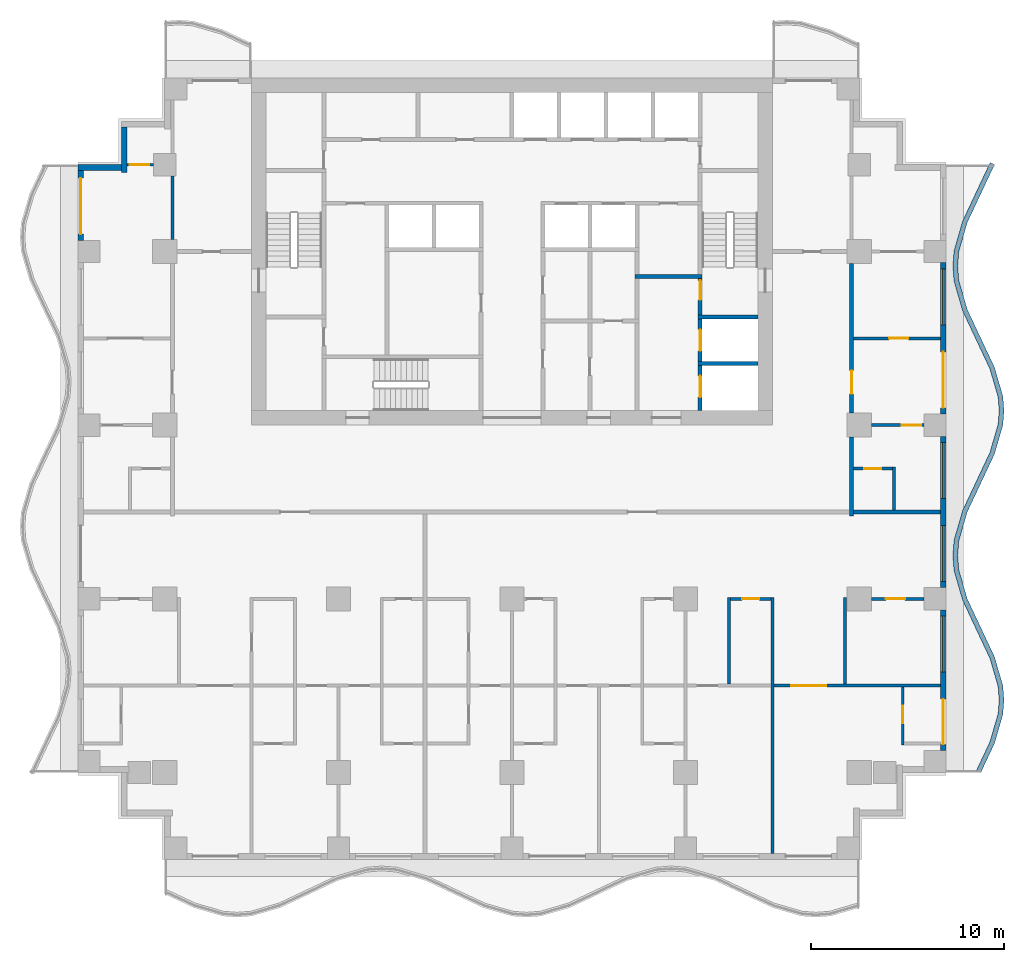
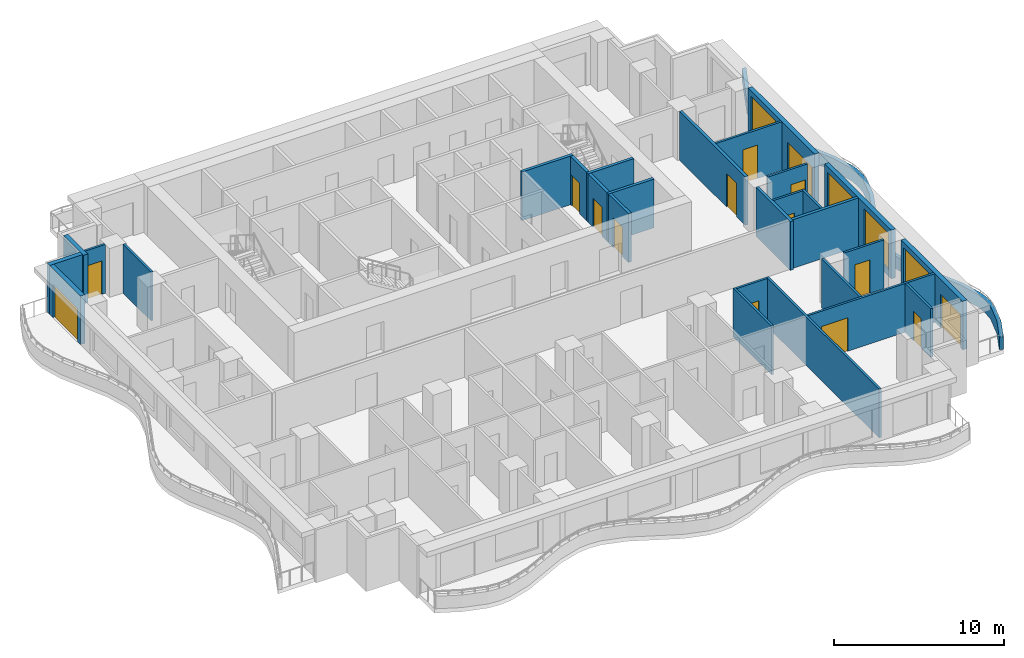
# One storey, part 4 of 10: 29 walls, 15 doors, 4 windows, 19 openings.
"""IFC4 building model written with IfcOpenShell, lengths in metres."""

from ifc_helpers import new_model, si_unit, direction, frame, frame_2d, origin, place, context, subcontext, project, spatial, polyline, rectangle, outline, extrude, material, layer, layer_set, type_object, element, fill, save


model = new_model("IFC4")

# Units and contexts
model_context = context("Model", 3, precision=1e-05, world=origin(), true_north=direction((0.0, 1.0)))
body_context = subcontext(model_context, "Body", "Model", "MODEL_VIEW")
ifc_project = project(units=[si_unit("LENGTHUNIT", "METRE"), si_unit("AREAUNIT", "SQUARE_METRE"), si_unit("VOLUMEUNIT", "CUBIC_METRE"), si_unit("PLANEANGLEUNIT", "RADIAN"), si_unit("MASSUNIT", "GRAM", prefix="KILO")], contexts=[model_context])

# Site, building, storey
site_placement = place(None, origin())
site = spatial("IfcSite", under=ifc_project, at=site_placement, CompositionType="ELEMENT")
building_placement = place(site_placement, origin())
building = spatial("IfcBuilding", under=site, at=building_placement, Name="Orbiselva Terraces", CompositionType="ELEMENT")
storey_placement = place(building_placement, frame((0.0, 0.0, 144.0)))
storey = spatial("IfcBuildingStorey", under=building, at=storey_placement, Name="L36", CompositionType="ELEMENT", Elevation=144.0)

# Wall
ifc_material_1 = material(Name="Concrete C60/75", Category="concrete")
ifc_layer_1 = layer(ifc_material_1, 0.2)
ifc_layer_set_1 = layer_set([ifc_layer_1], Name="Concrete C60/75")
wall_type_1 = type_object("IfcWallType", Name="CORE-WALL-SHEAR-200", PredefinedType="SHEAR", material=ifc_layer_set_1)
wall_1_placement = place(storey_placement, frame((6.375, 12.2, 0.0), z_axis=(0.0, 0.0, 1.0), x_axis=(1.0, 0.0, 0.0)))
element("IfcWall", 1, at=wall_1_placement, inside=storey, type_object=wall_type_1, Name="L36 core wall 34", PredefinedType="SHEAR", context=body_context, shape_type="SweptSolid", body=[
    extrude(rectangle(XDim=3.475, YDim=0.2, at=frame_2d((1.7375, 0.0))), origin(), (0.0, 0.0, 1.0), 3.5),
])

# Wall, opening, door
wall_2_placement = place(storey_placement, frame((9.75, 5.25, 0.0), z_axis=(0.0, 0.0, 1.0), x_axis=(0.0, 1.0, 0.0)))
wall_2 = element("IfcWall", 2, at=wall_2_placement, inside=storey, type_object=wall_type_1, Name="L36 core wall 38", PredefinedType="SHEAR", context=body_context, shape_type="SweptSolid", body=[
    extrude(rectangle(XDim=2.35, YDim=0.2, at=frame_2d((1.175, 0.0))), origin(), (0.0, 0.0, 1.0), 3.5),
])
opening_1_placement = place(wall_2_placement, frame((0.7, 0.0, 0.0)))
opening_1 = element("IfcOpeningElement", 3, at=opening_1_placement, cuts=wall_2, Name="Opening LD-FF1", PredefinedType="OPENING", context=body_context, shape_type="SweptSolid", body=[
    extrude(rectangle(XDim=1.1, YDim=2.1, at=frame_2d((0.55, 1.05))), frame((0.0, 0.11, 0.0), z_axis=(0.0, -1.0, 0.0), x_axis=(1.0, 0.0, 0.0)), (0.0, 0.0, 1.0), 0.22),
])
ifc_material_2 = material(Name="Stainless steel landing door", Category="steel")
door_type_1 = type_object("IfcDoorType", Name="LANDING DOOR 1100", OperationType="SLIDING_TO_LEFT", PredefinedType="DOOR", material=ifc_material_2)
door_1_placement = place(opening_1_placement, origin())
door_1 = element("IfcDoor", 4, at=door_1_placement, inside=storey, type_object=door_type_1, Name="L36 landing door FF1", OperationType="SLIDING_TO_RIGHT", OverallHeight=2.1, OverallWidth=1.1, PredefinedType="DOOR", context=body_context, shape_type="SweptSolid", body=[
    extrude(rectangle(XDim=1.1, YDim=2.1, at=frame_2d((0.55, 1.05))), frame((0.0, 0.025, 0.0), z_axis=(0.0, -1.0, 0.0), x_axis=(1.0, 0.0, 0.0)), (0.0, 0.0, 1.0), 0.05),
])
fill(opening_1, door_1)

# Wall
wall_3_placement = place(storey_placement, frame((9.65, 7.7, 0.0), z_axis=(0.0, 0.0, 1.0), x_axis=(1.0, 0.0, 0.0)))
element("IfcWall", 5, at=wall_3_placement, inside=storey, type_object=wall_type_1, Name="L36 core wall 39", PredefinedType="SHEAR", context=body_context, shape_type="SweptSolid", body=[
    extrude(rectangle(XDim=3.1, YDim=0.2, at=frame_2d((1.55, 0.0))), origin(), (0.0, 0.0, 1.0), 3.5),
])

# Wall, opening, door
wall_4_placement = place(storey_placement, frame((9.75, 7.8, 0.0), z_axis=(0.0, 0.0, 1.0), x_axis=(0.0, 1.0, 0.0)))
wall_4 = element("IfcWall", 6, at=wall_4_placement, inside=storey, type_object=wall_type_1, Name="L36 core wall 40", PredefinedType="SHEAR", context=body_context, shape_type="SweptSolid", body=[
    extrude(rectangle(XDim=2.2, YDim=0.2, at=frame_2d((1.1, 0.0))), origin(), (0.0, 0.0, 1.0), 3.5),
])
opening_2_placement = place(wall_4_placement, frame((0.55, 0.0, 0.0)))
opening_2 = element("IfcOpeningElement", 7, at=opening_2_placement, cuts=wall_4, Name="Opening LD-FF2", PredefinedType="OPENING", context=body_context, shape_type="SweptSolid", body=[
    extrude(rectangle(XDim=1.1, YDim=2.1, at=frame_2d((0.55, 1.05))), frame((0.0, 0.11, 0.0), z_axis=(0.0, -1.0, 0.0), x_axis=(1.0, 0.0, 0.0)), (0.0, 0.0, 1.0), 0.22),
])
door_2_placement = place(opening_2_placement, origin())
door_2 = element("IfcDoor", 8, at=door_2_placement, inside=storey, type_object=door_type_1, Name="L36 landing door FF2", OperationType="SLIDING_TO_RIGHT", OverallHeight=2.1, OverallWidth=1.1, PredefinedType="DOOR", context=body_context, shape_type="SweptSolid", body=[
    extrude(rectangle(XDim=1.1, YDim=2.1, at=frame_2d((0.55, 1.05))), frame((0.0, 0.025, 0.0), z_axis=(0.0, -1.0, 0.0), x_axis=(1.0, 0.0, 0.0)), (0.0, 0.0, 1.0), 0.05),
])
fill(opening_2, door_2)

# Wall
wall_5_placement = place(storey_placement, frame((9.65, 10.1, 0.0), z_axis=(0.0, 0.0, 1.0), x_axis=(1.0, 0.0, 0.0)))
element("IfcWall", 9, at=wall_5_placement, inside=storey, type_object=wall_type_1, Name="L36 core wall 41", PredefinedType="SHEAR", context=body_context, shape_type="SweptSolid", body=[
    extrude(rectangle(XDim=3.1, YDim=0.2, at=frame_2d((1.55, 0.0))), origin(), (0.0, 0.0, 1.0), 3.5),
])

# Wall, opening, door
wall_6_placement = place(storey_placement, frame((9.75, 12.1, 0.0), z_axis=(0.0, 0.0, 1.0), x_axis=(0.0, -1.0, 0.0)))
wall_6 = element("IfcWall", 10, at=wall_6_placement, inside=storey, type_object=wall_type_1, Name="L36 core wall 42", PredefinedType="SHEAR", context=body_context, shape_type="SweptSolid", body=[
    extrude(rectangle(XDim=1.9, YDim=0.2, at=frame_2d((0.95, 0.0))), origin(), (0.0, 0.0, 1.0), 3.5),
])
opening_3_placement = place(wall_6_placement, frame((0.1, 0.0, 0.0)))
opening_3 = element("IfcOpeningElement", 11, at=opening_3_placement, cuts=wall_6, Name="Opening DS1000", PredefinedType="OPENING", context=body_context, shape_type="SweptSolid", body=[
    extrude(rectangle(XDim=1.0, YDim=2.2, at=frame_2d((0.5, 1.1))), frame((0.0, 0.11, 0.0), z_axis=(0.0, -1.0, 0.0), x_axis=(1.0, 0.0, 0.0)), (0.0, 0.0, 1.0), 0.22),
])
ifc_material_3 = material(Name="Steel fire door", Category="steel")
door_type_2 = type_object("IfcDoorType", Name="STAIR DOOR 1000", OperationType="NOTDEFINED", PredefinedType="DOOR", material=ifc_material_3)
door_3_placement = place(opening_3_placement, origin())
door_3 = element("IfcDoor", 12, at=door_3_placement, inside=storey, type_object=door_type_2, Name="L36 FIRE-FIGHTING LOBBY TO EXIT STAIR S2 door", OperationType="SINGLE_SWING_LEFT", OverallHeight=2.2, OverallWidth=1.0, PredefinedType="DOOR", context=body_context, shape_type="SweptSolid", body=[
    extrude(rectangle(XDim=1.0, YDim=2.2, at=frame_2d((0.5, 1.1))), frame((0.0, 0.025, 0.0), z_axis=(0.0, -1.0, 0.0), x_axis=(1.0, 0.0, 0.0)), (0.0, 0.0, 1.0), 0.05),
])
fill(opening_3, door_3)

# Wall
ifc_material_4 = material(Name="Concrete C40/50", Category="concrete")
ifc_layer_2 = layer(ifc_material_4, 0.25)
ifc_layer_set_2 = layer_set([ifc_layer_2], Name="Concrete C40/50")
wall_type_2 = type_object("IfcWallType", Name="ENV-PLANTER-250x900", PredefinedType="USERDEFINED", material=ifc_layer_set_2)
wall_7_placement = place(storey_placement, origin())
element("IfcWall", 13, at=wall_7_placement, inside=storey, type_object=wall_type_2, Name="Balcony planter L36 E", ObjectType="PLANTER", PredefinedType="USERDEFINED", context=body_context, shape_type="SweptSolid", body=[
    extrude(outline(polyline([(24.3, -13.5), (25.005342, -12.0), (25.441268, -10.5), (25.5, -9.75), (25.441268, -9.0), (25.005342, -7.5), (24.3, -6.0), (23.594658, -4.5), (23.158732, -3.0), (23.1, -2.25), (23.158732, -1.5), (23.594658, 0.0), (24.3, 1.5), (25.005342, 3.0), (25.441268, 4.5), (25.5, 5.25), (25.441268, 6.0), (25.005342, 7.5), (24.3, 9.0), (23.594658, 10.5), (23.158732, 12.0), (23.1, 12.75), (23.158732, 13.5), (23.594658, 15.0), (24.3, 16.5), (25.005342, 18.0), (24.779106, 18.106383), (24.073764, 16.606383), (23.360069, 15.088618), (22.911499, 13.545114), (22.849235, 12.75), (22.911499, 11.954886), (23.360069, 10.411382), (24.073764, 8.893617), (24.770753, 7.411382), (25.194035, 5.954886), (25.249235, 5.25), (25.194035, 4.545114), (24.770753, 3.088618), (24.073764, 1.606383), (23.360069, 0.088618), (22.911499, -1.454886), (22.849235, -2.25), (22.911499, -3.045114), (23.360069, -4.588618), (24.073764, -6.106383), (24.770753, -7.588618), (25.194035, -9.045114), (25.249235, -9.75), (25.194035, -10.454886), (24.770753, -11.911382), (24.073764, -13.393617), (24.3, -13.5)])), origin(), (0.0, 0.0, 1.0), 0.9),
])

# Wall, openings, door, window
ifc_material_5 = material(Name="Terracotta cladding on masonry backing", Category="masonry")
ifc_layer_3 = layer(ifc_material_5, 0.3)
ifc_layer_set_3 = layer_set([ifc_layer_3], Name="Terracotta cladding on masonry backing")
wall_type_3 = type_object("IfcWallType", Name="ENV-WALL-TERRACOTTA-300", PredefinedType="SOLIDWALL", material=ifc_layer_set_3)
wall_8_placement = place(storey_placement, frame((22.35, -5.075, 0.0), z_axis=(0.0, 0.0, 1.0), x_axis=(0.0, -1.0, 0.0)))
wall_8 = element("IfcWall", 14, at=wall_8_placement, inside=storey, type_object=wall_type_3, Name="Facade wall L36 E", PredefinedType="SOLIDWALL", context=body_context, shape_type="SweptSolid", body=[
    extrude(rectangle(XDim=7.275, YDim=0.3, at=frame_2d((3.6375, 0.0))), origin(), (0.0, 0.0, 1.0), 3.5),
])
opening_4_placement = place(wall_8_placement, frame((4.625, 0.0, 0.0)))
opening_4 = element("IfcOpeningElement", 15, at=opening_4_placement, cuts=wall_8, Name="Opening Z3-B-E16", PredefinedType="OPENING", context=body_context, shape_type="SweptSolid", body=[
    extrude(rectangle(XDim=2.35, YDim=2.4, at=frame_2d((1.175, 1.2))), frame((0.0, 0.16, 0.0), z_axis=(0.0, -1.0, 0.0), x_axis=(1.0, 0.0, 0.0)), (0.0, 0.0, 1.0), 0.32),
])
opening_5_placement = place(wall_8_placement, frame((0.325, 0.0, 0.45)))
opening_5 = element("IfcOpeningElement", 16, at=opening_5_placement, cuts=wall_8, Name="Opening WN8", PredefinedType="OPENING", context=body_context, shape_type="SweptSolid", body=[
    extrude(rectangle(XDim=2.9, YDim=2.65, at=frame_2d((1.45, 1.325))), frame((0.0, 0.16, 0.0), z_axis=(0.0, -1.0, 0.0), x_axis=(1.0, 0.0, 0.0)), (0.0, 0.0, 1.0), 0.32),
])
ifc_material_6 = material(Name="Clear low-e glazing in aluminium frame", Category="aluminium")
door_type_3 = type_object("IfcDoorType", Name="BALCONY DOOR 2350 X 2400", OperationType="DOUBLE_DOOR_SLIDING", PredefinedType="DOOR", material=ifc_material_6)
door_4_placement = place(opening_4_placement, origin())
door_4 = element("IfcDoor", 17, at=door_4_placement, inside=storey, type_object=door_type_3, Name="Z3-B-E16", OperationType="SINGLE_SWING_LEFT", OverallHeight=2.4, OverallWidth=2.35, PredefinedType="DOOR", context=body_context, shape_type="SweptSolid", body=[
    extrude(rectangle(XDim=2.35, YDim=2.4, at=frame_2d((1.175, 1.2))), frame((0.0, 0.025, 0.0), z_axis=(0.0, -1.0, 0.0), x_axis=(1.0, 0.0, 0.0)), (0.0, 0.0, 1.0), 0.05),
])
fill(opening_4, door_4)
window_type = type_object("IfcWindowType", Name="WINDOW 2900 X 2650 S450", PartitioningType="TRIPLE_PANEL_VERTICAL", PredefinedType="WINDOW", material=ifc_material_6)
window_1_placement = place(opening_5_placement, origin())
window_1 = element("IfcWindow", 18, at=window_1_placement, inside=storey, type_object=window_type, Name="Window L36 E", OverallHeight=2.65, OverallWidth=2.9, PartitioningType="SINGLE_PANEL", PredefinedType="WINDOW", context=body_context, shape_type="SweptSolid", body=[
    extrude(rectangle(XDim=2.9, YDim=2.65, at=frame_2d((1.45, 1.325))), frame((0.0, 0.03, 0.0), z_axis=(0.0, -1.0, 0.0), x_axis=(1.0, 0.0, 0.0)), (0.0, 0.0, 1.0), 0.06),
])
fill(opening_5, window_1)

# Wall, openings, windows
wall_9_placement = place(storey_placement, frame((22.35, 3.925, 0.0), z_axis=(0.0, 0.0, 1.0), x_axis=(0.0, -1.0, 0.0)))
wall_9 = element("IfcWall", 19, at=wall_9_placement, inside=storey, type_object=wall_type_3, Name="Facade wall L36 E", PredefinedType="SOLIDWALL", context=body_context, shape_type="SweptSolid", body=[
    extrude(rectangle(XDim=7.85, YDim=0.3, at=frame_2d((3.925, 0.0))), origin(), (0.0, 0.0, 1.0), 3.5),
])
opening_6_placement = place(wall_9_placement, frame((4.625, 0.0, 0.45)))
opening_6 = element("IfcOpeningElement", 20, at=opening_6_placement, cuts=wall_9, Name="Opening WN8", PredefinedType="OPENING", context=body_context, shape_type="SweptSolid", body=[
    extrude(rectangle(XDim=2.9, YDim=2.65, at=frame_2d((1.45, 1.325))), frame((0.0, 0.16, 0.0), z_axis=(0.0, -1.0, 0.0), x_axis=(1.0, 0.0, 0.0)), (0.0, 0.0, 1.0), 0.32),
])
opening_7_placement = place(wall_9_placement, frame((0.325, 0.0, 0.45)))
opening_7 = element("IfcOpeningElement", 21, at=opening_7_placement, cuts=wall_9, Name="Opening WN8", PredefinedType="OPENING", context=body_context, shape_type="SweptSolid", body=[
    extrude(rectangle(XDim=2.9, YDim=2.65, at=frame_2d((1.45, 1.325))), frame((0.0, 0.16, 0.0), z_axis=(0.0, -1.0, 0.0), x_axis=(1.0, 0.0, 0.0)), (0.0, 0.0, 1.0), 0.32),
])
window_2_placement = place(opening_6_placement, origin())
window_2 = element("IfcWindow", 22, at=window_2_placement, inside=storey, type_object=window_type, Name="Window L36 E", OverallHeight=2.65, OverallWidth=2.9, PartitioningType="SINGLE_PANEL", PredefinedType="WINDOW", context=body_context, shape_type="SweptSolid", body=[
    extrude(rectangle(XDim=2.9, YDim=2.65, at=frame_2d((1.45, 1.325))), frame((0.0, 0.03, 0.0), z_axis=(0.0, -1.0, 0.0), x_axis=(1.0, 0.0, 0.0)), (0.0, 0.0, 1.0), 0.06),
])
fill(opening_6, window_2)
window_3_placement = place(opening_7_placement, origin())
window_3 = element("IfcWindow", 23, at=window_3_placement, inside=storey, type_object=window_type, Name="Window L36 E", OverallHeight=2.65, OverallWidth=2.9, PartitioningType="SINGLE_PANEL", PredefinedType="WINDOW", context=body_context, shape_type="SweptSolid", body=[
    extrude(rectangle(XDim=2.9, YDim=2.65, at=frame_2d((1.45, 1.325))), frame((0.0, 0.03, 0.0), z_axis=(0.0, -1.0, 0.0), x_axis=(1.0, 0.0, 0.0)), (0.0, 0.0, 1.0), 0.06),
])
fill(opening_7, window_3)

# Wall, openings, door, window
wall_10_placement = place(storey_placement, frame((22.35, 12.925, 0.0), z_axis=(0.0, 0.0, 1.0), x_axis=(0.0, -1.0, 0.0)))
wall_10 = element("IfcWall", 24, at=wall_10_placement, inside=storey, type_object=wall_type_3, Name="Facade wall L36 E", PredefinedType="SOLIDWALL", context=body_context, shape_type="SweptSolid", body=[
    extrude(rectangle(XDim=7.85, YDim=0.3, at=frame_2d((3.925, 0.0))), origin(), (0.0, 0.0, 1.0), 3.5),
])
opening_8_placement = place(wall_10_placement, frame((4.625, 0.0, 0.0)))
opening_8 = element("IfcOpeningElement", 25, at=opening_8_placement, cuts=wall_10, Name="Opening Z3-B-E05", PredefinedType="OPENING", context=body_context, shape_type="SweptSolid", body=[
    extrude(rectangle(XDim=2.9, YDim=2.4, at=frame_2d((1.45, 1.2))), frame((0.0, 0.16, 0.0), z_axis=(0.0, -1.0, 0.0), x_axis=(1.0, 0.0, 0.0)), (0.0, 0.0, 1.0), 0.32),
])
opening_9_placement = place(wall_10_placement, frame((0.325, 0.0, 0.45)))
opening_9 = element("IfcOpeningElement", 26, at=opening_9_placement, cuts=wall_10, Name="Opening WN8", PredefinedType="OPENING", context=body_context, shape_type="SweptSolid", body=[
    extrude(rectangle(XDim=2.9, YDim=2.65, at=frame_2d((1.45, 1.325))), frame((0.0, 0.16, 0.0), z_axis=(0.0, -1.0, 0.0), x_axis=(1.0, 0.0, 0.0)), (0.0, 0.0, 1.0), 0.32),
])
door_type_4 = type_object("IfcDoorType", Name="BALCONY DOOR 2900 X 2400", OperationType="DOUBLE_DOOR_SLIDING", PredefinedType="DOOR", material=ifc_material_6)
door_5_placement = place(opening_8_placement, origin())
door_5 = element("IfcDoor", 27, at=door_5_placement, inside=storey, type_object=door_type_4, Name="Z3-B-E05", OperationType="SINGLE_SWING_LEFT", OverallHeight=2.4, OverallWidth=2.9, PredefinedType="DOOR", context=body_context, shape_type="SweptSolid", body=[
    extrude(rectangle(XDim=2.9, YDim=2.4, at=frame_2d((1.45, 1.2))), frame((0.0, 0.025, 0.0), z_axis=(0.0, -1.0, 0.0), x_axis=(1.0, 0.0, 0.0)), (0.0, 0.0, 1.0), 0.05),
])
fill(opening_8, door_5)
window_4_placement = place(opening_9_placement, origin())
window_4 = element("IfcWindow", 28, at=window_4_placement, inside=storey, type_object=window_type, Name="Window L36 E", OverallHeight=2.65, OverallWidth=2.9, PartitioningType="SINGLE_PANEL", PredefinedType="WINDOW", context=body_context, shape_type="SweptSolid", body=[
    extrude(rectangle(XDim=2.9, YDim=2.65, at=frame_2d((1.45, 1.325))), frame((0.0, 0.03, 0.0), z_axis=(0.0, -1.0, 0.0), x_axis=(1.0, 0.0, 0.0)), (0.0, 0.0, 1.0), 0.06),
])
fill(opening_9, window_4)

# Walls
wall_11_placement = place(storey_placement, frame((-20.1, 17.6, 0.0), z_axis=(0.0, 0.0, 1.0), x_axis=(0.0, 1.0, 0.0)))
element("IfcWall", 29, at=wall_11_placement, inside=storey, type_object=wall_type_3, Name="Facade wall L36 STEP", PredefinedType="SOLIDWALL", context=body_context, shape_type="SweptSolid", body=[
    extrude(rectangle(XDim=2.35, YDim=0.3, at=frame_2d((1.175, 0.0))), origin(), (0.0, 0.0, 1.0), 3.5),
])
wall_12_placement = place(storey_placement, frame((-22.5, 17.85, 0.0), z_axis=(0.0, 0.0, 1.0), x_axis=(1.0, 0.0, 0.0)))
element("IfcWall", 30, at=wall_12_placement, inside=storey, type_object=wall_type_3, Name="Facade wall L36 STEP", PredefinedType="SOLIDWALL", context=body_context, shape_type="SweptSolid", body=[
    extrude(rectangle(XDim=2.25, YDim=0.3, at=frame_2d((1.125, 0.0))), origin(), (0.0, 0.0, 1.0), 3.5),
])

# Wall, opening, door
wall_13_placement = place(storey_placement, frame((-22.35, 14.075, 0.0), z_axis=(0.0, 0.0, 1.0), x_axis=(0.0, 1.0, 0.0)))
wall_13 = element("IfcWall", 31, at=wall_13_placement, inside=storey, type_object=wall_type_3, Name="Facade wall L36 W", PredefinedType="SOLIDWALL", context=body_context, shape_type="SweptSolid", body=[
    extrude(rectangle(XDim=3.625, YDim=0.3, at=frame_2d((1.8125, 0.0))), origin(), (0.0, 0.0, 1.0), 3.5),
])
opening_10_placement = place(wall_13_placement, frame((0.325, 0.0, 0.0)))
opening_10 = element("IfcOpeningElement", 32, at=opening_10_placement, cuts=wall_13, Name="Opening Z3-B-E19", PredefinedType="OPENING", context=body_context, shape_type="SweptSolid", body=[
    extrude(rectangle(XDim=2.9, YDim=2.4, at=frame_2d((1.45, 1.2))), frame((0.0, 0.16, 0.0), z_axis=(0.0, -1.0, 0.0), x_axis=(1.0, 0.0, 0.0)), (0.0, 0.0, 1.0), 0.32),
])
door_6_placement = place(opening_10_placement, origin())
door_6 = element("IfcDoor", 33, at=door_6_placement, inside=storey, type_object=door_type_4, Name="Z3-B-E19", OperationType="SINGLE_SWING_LEFT", OverallHeight=2.4, OverallWidth=2.9, PredefinedType="DOOR", context=body_context, shape_type="SweptSolid", body=[
    extrude(rectangle(XDim=2.9, YDim=2.4, at=frame_2d((1.45, 1.2))), frame((0.0, 0.025, 0.0), z_axis=(0.0, -1.0, 0.0), x_axis=(1.0, 0.0, 0.0)), (0.0, 0.0, 1.0), 0.05),
])
fill(opening_10, door_6)

# Wall
ifc_material_7 = material(Name="Plasterboard on steel stud partition", Category="steel")
ifc_layer_4 = layer(ifc_material_7, 0.2)
ifc_layer_set_4 = layer_set([ifc_layer_4], Name="Plasterboard on steel stud partition")
wall_type_4 = type_object("IfcWallType", Name="UNIT-ENTRANCE-WALL-200", PredefinedType="PARTITIONING", material=ifc_layer_set_4)
wall_14_placement = place(storey_placement, frame((17.6, -0.2, 0.0), z_axis=(0.0, 0.0, 1.0), x_axis=(0.0, 1.0, 0.0)))
element("IfcWall", 34, at=wall_14_placement, inside=storey, type_object=wall_type_4, Name="PARTITION L36-064", PredefinedType="PARTITIONING", context=body_context, shape_type="SweptSolid", body=[
    extrude(rectangle(XDim=4.075, YDim=0.2, at=frame_2d((2.0375, 0.0))), origin(), (0.0, 0.0, 1.0), 3.5),
])

# Wall, opening, door
wall_15_placement = place(storey_placement, frame((17.6, 12.875, 0.0), z_axis=(0.0, 0.0, 1.0), x_axis=(0.0, -1.0, 0.0)))
wall_15 = element("IfcWall", 35, at=wall_15_placement, inside=storey, type_object=wall_type_4, Name="PARTITION L36-065", PredefinedType="PARTITIONING", context=body_context, shape_type="SweptSolid", body=[
    extrude(rectangle(XDim=7.75, YDim=0.2, at=frame_2d((3.875, 0.0))), origin(), (0.0, 0.0, 1.0), 3.5),
])
opening_11_placement = place(wall_15_placement, frame((5.55, 0.0, 0.0)))
opening_11 = element("IfcOpeningElement", 36, at=opening_11_placement, cuts=wall_15, Name="Opening Z3-B-10", PredefinedType="OPENING", context=body_context, shape_type="SweptSolid", body=[
    extrude(rectangle(XDim=1.2, YDim=2.4, at=frame_2d((0.6, 1.2))), frame((0.0, 0.11, 0.0), z_axis=(0.0, -1.0, 0.0), x_axis=(1.0, 0.0, 0.0)), (0.0, 0.0, 1.0), 0.22),
])
ifc_material_8 = material(Name="Painted timber door leaf", Category="wood")
door_type_5 = type_object("IfcDoorType", Name="ENTRANCE DOOR 1200", OperationType="NOTDEFINED", PredefinedType="DOOR", material=ifc_material_8)
door_7_placement = place(opening_11_placement, origin())
door_7 = element("IfcDoor", 37, at=door_7_placement, inside=storey, type_object=door_type_5, Name="Z3-B-10", OperationType="SINGLE_SWING_RIGHT", OverallHeight=2.4, OverallWidth=1.2, PredefinedType="DOOR", context=body_context, shape_type="SweptSolid", body=[
    extrude(rectangle(XDim=1.2, YDim=2.4, at=frame_2d((0.6, 1.2))), frame((0.0, 0.025, 0.0), z_axis=(0.0, -1.0, 0.0), x_axis=(1.0, 0.0, 0.0)), (0.0, 0.0, 1.0), 0.05),
])
fill(opening_11, door_7)

ifc_layer_5 = layer(ifc_material_7, 0.15)
ifc_layer_set_5 = layer_set([ifc_layer_5], Name="Plasterboard on steel stud partition")
wall_type_5 = type_object("IfcWallType", Name="UNIT-PARTITION-150", PredefinedType="PARTITIONING", material=ifc_layer_set_5)
wall_16_placement = place(storey_placement, frame((22.2, -9.0, 0.0), z_axis=(0.0, 0.0, 1.0), x_axis=(-1.0, 0.0, 0.0)))
wall_16 = element("IfcWall", 38, at=wall_16_placement, inside=storey, type_object=wall_type_5, Name="PARTITION L36-018", PredefinedType="PARTITIONING", context=body_context, shape_type="SweptSolid", body=[
    extrude(rectangle(XDim=8.625, YDim=0.15, at=frame_2d((4.3125, 0.0))), origin(), (0.0, 0.0, 1.0), 3.5),
])
opening_12_placement = place(wall_16_placement, frame((5.925, 0.0, 0.0)))
opening_12 = element("IfcOpeningElement", 39, at=opening_12_placement, cuts=wall_16, Name="Opening Z3-B-36", PredefinedType="OPENING", context=body_context, shape_type="SweptSolid", body=[
    extrude(rectangle(XDim=1.8, YDim=2.4, at=frame_2d((0.9, 1.2))), frame((0.0, 0.085, 0.0), z_axis=(0.0, -1.0, 0.0), x_axis=(1.0, 0.0, 0.0)), (0.0, 0.0, 1.0), 0.17),
])
door_type_6 = type_object("IfcDoorType", Name="DOUBLE DOOR 1800", OperationType="NOTDEFINED", PredefinedType="DOOR", material=ifc_material_8)
door_8_placement = place(opening_12_placement, origin())
door_8 = element("IfcDoor", 40, at=door_8_placement, inside=storey, type_object=door_type_6, Name="Z3-B-36", OperationType="DOUBLE_DOOR_SINGLE_SWING", OverallHeight=2.4, OverallWidth=1.8, PredefinedType="DOOR", context=body_context, shape_type="SweptSolid", body=[
    extrude(rectangle(XDim=1.8, YDim=2.4, at=frame_2d((0.9, 1.2))), frame((0.0, 0.025, 0.0), z_axis=(0.0, -1.0, 0.0), x_axis=(1.0, 0.0, 0.0)), (0.0, 0.0, 1.0), 0.05),
])
fill(opening_12, door_8)

wall_17_placement = place(storey_placement, frame((13.425, -4.5, 0.0), z_axis=(0.0, 0.0, 1.0), x_axis=(-1.0, 0.0, 0.0)))
wall_17 = element("IfcWall", 41, at=wall_17_placement, inside=storey, type_object=wall_type_5, Name="PARTITION L36-025", PredefinedType="PARTITIONING", context=body_context, shape_type="SweptSolid", body=[
    extrude(rectangle(XDim=2.1, YDim=0.15, at=frame_2d((1.05, 0.0))), origin(), (0.0, 0.0, 1.0), 3.5),
])
opening_13_placement = place(wall_17_placement, frame((0.6, 0.0, 0.0)))
opening_13 = element("IfcOpeningElement", 42, at=opening_13_placement, cuts=wall_17, Name="Opening Z3-B-27", PredefinedType="OPENING", context=body_context, shape_type="SweptSolid", body=[
    extrude(rectangle(XDim=0.9, YDim=2.1, at=frame_2d((0.45, 1.05))), frame((0.0, 0.085, 0.0), z_axis=(0.0, -1.0, 0.0), x_axis=(1.0, 0.0, 0.0)), (0.0, 0.0, 1.0), 0.17),
])
door_type_7 = type_object("IfcDoorType", Name="SERVICE DOOR 900", OperationType="NOTDEFINED", PredefinedType="DOOR", material=ifc_material_8)
door_9_placement = place(opening_13_placement, origin())
door_9 = element("IfcDoor", 43, at=door_9_placement, inside=storey, type_object=door_type_7, Name="Z3-B-27", OperationType="SINGLE_SWING_RIGHT", OverallHeight=2.1, OverallWidth=0.9, PredefinedType="DOOR", context=body_context, shape_type="SweptSolid", body=[
    extrude(rectangle(XDim=0.9, YDim=2.1, at=frame_2d((0.45, 1.05))), frame((0.0, 0.025, 0.0), z_axis=(0.0, -1.0, 0.0), x_axis=(1.0, 0.0, 0.0)), (0.0, 0.0, 1.0), 0.05),
])
fill(opening_13, door_9)

wall_18_placement = place(storey_placement, frame((21.35, -4.5, 0.0), z_axis=(0.0, 0.0, 1.0), x_axis=(-1.0, 0.0, 0.0)))
wall_18 = element("IfcWall", 44, at=wall_18_placement, inside=storey, type_object=wall_type_5, Name="PARTITION L36-026", PredefinedType="PARTITIONING", context=body_context, shape_type="SweptSolid", body=[
    extrude(rectangle(XDim=2.725, YDim=0.15, at=frame_2d((1.3625, 0.0))), origin(), (0.0, 0.0, 1.0), 3.5),
])
opening_14_placement = place(wall_18_placement, frame((0.975, 0.0, 0.0)))
opening_14 = element("IfcOpeningElement", 45, at=opening_14_placement, cuts=wall_18, Name="Opening Z3-B-28", PredefinedType="OPENING", context=body_context, shape_type="SweptSolid", body=[
    extrude(rectangle(XDim=1.0, YDim=2.4, at=frame_2d((0.5, 1.2))), frame((0.0, 0.085, 0.0), z_axis=(0.0, -1.0, 0.0), x_axis=(1.0, 0.0, 0.0)), (0.0, 0.0, 1.0), 0.17),
])
door_type_8 = type_object("IfcDoorType", Name="ROOM DOOR 1000", OperationType="NOTDEFINED", PredefinedType="DOOR", material=ifc_material_8)
door_10_placement = place(opening_14_placement, origin())
door_10 = element("IfcDoor", 46, at=door_10_placement, inside=storey, type_object=door_type_8, Name="Z3-B-28", OperationType="SINGLE_SWING_RIGHT", OverallHeight=2.4, OverallWidth=1.0, PredefinedType="DOOR", context=body_context, shape_type="SweptSolid", body=[
    extrude(rectangle(XDim=1.0, YDim=2.4, at=frame_2d((0.5, 1.2))), frame((0.0, 0.025, 0.0), z_axis=(0.0, -1.0, 0.0), x_axis=(1.0, 0.0, 0.0)), (0.0, 0.0, 1.0), 0.05),
])
fill(opening_14, door_10)

wall_19_placement = place(storey_placement, frame((19.73, 2.25, 0.0), z_axis=(0.0, 0.0, 1.0), x_axis=(-1.0, 0.0, 0.0)))
wall_19 = element("IfcWall", 47, at=wall_19_placement, inside=storey, type_object=wall_type_5, Name="PARTITION L36-031", PredefinedType="PARTITIONING", context=body_context, shape_type="SweptSolid", body=[
    extrude(rectangle(XDim=2.03, YDim=0.15, at=frame_2d((1.015, 0.0))), origin(), (0.0, 0.0, 1.0), 3.5),
])
opening_15_placement = place(wall_19_placement, frame((0.58, 0.0, 0.0)))
opening_15 = element("IfcOpeningElement", 48, at=opening_15_placement, cuts=wall_19, Name="Opening Z3-B-09", PredefinedType="OPENING", context=body_context, shape_type="SweptSolid", body=[
    extrude(rectangle(XDim=0.9, YDim=2.1, at=frame_2d((0.45, 1.05))), frame((0.0, 0.085, 0.0), z_axis=(0.0, -1.0, 0.0), x_axis=(1.0, 0.0, 0.0)), (0.0, 0.0, 1.0), 0.17),
])
door_type_9 = type_object("IfcDoorType", Name="BATH DOOR 900", OperationType="NOTDEFINED", PredefinedType="DOOR", material=ifc_material_8)
door_11_placement = place(opening_15_placement, origin())
door_11 = element("IfcDoor", 49, at=door_11_placement, inside=storey, type_object=door_type_9, Name="Z3-B-09", OperationType="SINGLE_SWING_RIGHT", OverallHeight=2.1, OverallWidth=0.9, PredefinedType="DOOR", context=body_context, shape_type="SweptSolid", body=[
    extrude(rectangle(XDim=0.9, YDim=2.1, at=frame_2d((0.45, 1.05))), frame((0.0, 0.025, 0.0), z_axis=(0.0, -1.0, 0.0), x_axis=(1.0, 0.0, 0.0)), (0.0, 0.0, 1.0), 0.05),
])
fill(opening_15, door_11)

wall_20_placement = place(storey_placement, frame((21.35, 4.5, 0.0), z_axis=(0.0, 0.0, 1.0), x_axis=(-1.0, 0.0, 0.0)))
wall_20 = element("IfcWall", 50, at=wall_20_placement, inside=storey, type_object=wall_type_5, Name="PARTITION L36-033", PredefinedType="PARTITIONING", context=body_context, shape_type="SweptSolid", body=[
    extrude(rectangle(XDim=2.725, YDim=0.15, at=frame_2d((1.3625, 0.0))), origin(), (0.0, 0.0, 1.0), 3.5),
])
opening_16_placement = place(wall_20_placement, frame((0.15, 0.0, 0.0)))
opening_16 = element("IfcOpeningElement", 51, at=opening_16_placement, cuts=wall_20, Name="Opening Z3-B-08", PredefinedType="OPENING", context=body_context, shape_type="SweptSolid", body=[
    extrude(rectangle(XDim=1.0, YDim=2.4, at=frame_2d((0.5, 1.2))), frame((0.0, 0.085, 0.0), z_axis=(0.0, -1.0, 0.0), x_axis=(1.0, 0.0, 0.0)), (0.0, 0.0, 1.0), 0.17),
])
door_12_placement = place(opening_16_placement, origin())
door_12 = element("IfcDoor", 52, at=door_12_placement, inside=storey, type_object=door_type_8, Name="Z3-B-08", OperationType="SINGLE_SWING_LEFT", OverallHeight=2.4, OverallWidth=1.0, PredefinedType="DOOR", context=body_context, shape_type="SweptSolid", body=[
    extrude(rectangle(XDim=1.0, YDim=2.4, at=frame_2d((0.5, 1.2))), frame((0.0, 0.025, 0.0), z_axis=(0.0, -1.0, 0.0), x_axis=(1.0, 0.0, 0.0)), (0.0, 0.0, 1.0), 0.05),
])
fill(opening_16, door_12)

wall_21_placement = place(storey_placement, frame((17.7, 9.0, 0.0), z_axis=(0.0, 0.0, 1.0), x_axis=(1.0, 0.0, 0.0)))
wall_21 = element("IfcWall", 53, at=wall_21_placement, inside=storey, type_object=wall_type_5, Name="PARTITION L36-035", PredefinedType="PARTITIONING", context=body_context, shape_type="SweptSolid", body=[
    extrude(rectangle(XDim=4.5, YDim=0.15, at=frame_2d((2.25, 0.0))), origin(), (0.0, 0.0, 1.0), 3.5),
])
opening_17_placement = place(wall_21_placement, frame((1.85, 0.0, 0.0)))
opening_17 = element("IfcOpeningElement", 54, at=opening_17_placement, cuts=wall_21, Name="Opening Z3-B-11", PredefinedType="OPENING", context=body_context, shape_type="SweptSolid", body=[
    extrude(rectangle(XDim=1.0, YDim=2.4, at=frame_2d((0.5, 1.2))), frame((0.0, 0.085, 0.0), z_axis=(0.0, -1.0, 0.0), x_axis=(1.0, 0.0, 0.0)), (0.0, 0.0, 1.0), 0.17),
])
door_13_placement = place(opening_17_placement, origin())
door_13 = element("IfcDoor", 55, at=door_13_placement, inside=storey, type_object=door_type_8, Name="Z3-B-11", OperationType="SINGLE_SWING_RIGHT", OverallHeight=2.4, OverallWidth=1.0, PredefinedType="DOOR", context=body_context, shape_type="SweptSolid", body=[
    extrude(rectangle(XDim=1.0, YDim=2.4, at=frame_2d((0.5, 1.2))), frame((0.0, 0.025, 0.0), z_axis=(0.0, -1.0, 0.0), x_axis=(1.0, 0.0, 0.0)), (0.0, 0.0, 1.0), 0.05),
])
fill(opening_17, door_13)

wall_22_placement = place(storey_placement, frame((-19.95, 18.0, 0.0), z_axis=(0.0, 0.0, 1.0), x_axis=(1.0, 0.0, 0.0)))
wall_22 = element("IfcWall", 56, at=wall_22_placement, inside=storey, type_object=wall_type_5, Name="PARTITION L36-039", PredefinedType="PARTITIONING", context=body_context, shape_type="SweptSolid", body=[
    extrude(rectangle(XDim=1.375, YDim=0.15, at=frame_2d((0.6875, 0.0))), origin(), (0.0, 0.0, 1.0), 3.5),
])
opening_18_placement = place(wall_22_placement, frame((0.15, 0.0, 0.0)))
opening_18 = element("IfcOpeningElement", 57, at=opening_18_placement, cuts=wall_22, Name="Opening Z3-B-07", PredefinedType="OPENING", context=body_context, shape_type="SweptSolid", body=[
    extrude(rectangle(XDim=1.0, YDim=2.4, at=frame_2d((0.5, 1.2))), frame((0.0, 0.085, 0.0), z_axis=(0.0, -1.0, 0.0), x_axis=(1.0, 0.0, 0.0)), (0.0, 0.0, 1.0), 0.17),
])
door_14_placement = place(opening_18_placement, origin())
door_14 = element("IfcDoor", 58, at=door_14_placement, inside=storey, type_object=door_type_8, Name="Z3-B-07", OperationType="SINGLE_SWING_LEFT", OverallHeight=2.4, OverallWidth=1.0, PredefinedType="DOOR", context=body_context, shape_type="SweptSolid", body=[
    extrude(rectangle(XDim=1.0, YDim=2.4, at=frame_2d((0.5, 1.2))), frame((0.0, 0.025, 0.0), z_axis=(0.0, -1.0, 0.0), x_axis=(1.0, 0.0, 0.0)), (0.0, 0.0, 1.0), 0.05),
])
fill(opening_18, door_14)

# Walls
wall_23_placement = place(storey_placement, frame((-17.6, 14.125, 0.0), z_axis=(0.0, 0.0, 1.0), x_axis=(0.0, 1.0, 0.0)))
element("IfcWall", 59, at=wall_23_placement, inside=storey, type_object=wall_type_5, Name="PARTITION L36-044", PredefinedType="PARTITIONING", context=body_context, shape_type="SweptSolid", body=[
    extrude(rectangle(XDim=3.3, YDim=0.15, at=frame_2d((1.65, 0.0))), origin(), (0.0, 0.0, 1.0), 3.5),
])
wall_24_placement = place(storey_placement, frame((11.25, -8.925, 0.0), z_axis=(0.0, 0.0, 1.0), x_axis=(0.0, 1.0, 0.0)))
element("IfcWall", 60, at=wall_24_placement, inside=storey, type_object=wall_type_5, Name="PARTITION L36-061", PredefinedType="PARTITIONING", context=body_context, shape_type="SweptSolid", body=[
    extrude(rectangle(XDim=4.5, YDim=0.15, at=frame_2d((2.25, 0.0))), origin(), (0.0, 0.0, 1.0), 3.5),
])
wall_25_placement = place(storey_placement, frame((13.5, -17.7, 0.0), z_axis=(0.0, 0.0, 1.0), x_axis=(0.0, 1.0, 0.0)))
element("IfcWall", 61, at=wall_25_placement, inside=storey, type_object=wall_type_5, Name="PARTITION L36-062", PredefinedType="PARTITIONING", context=body_context, shape_type="SweptSolid", body=[
    extrude(rectangle(XDim=13.275, YDim=0.15, at=frame_2d((6.6375, 0.0))), origin(), (0.0, 0.0, 1.0), 3.5),
])
wall_26_placement = place(storey_placement, frame((17.25, -8.925, 0.0), z_axis=(0.0, 0.0, 1.0), x_axis=(0.0, 1.0, 0.0)))
element("IfcWall", 62, at=wall_26_placement, inside=storey, type_object=wall_type_5, Name="PARTITION L36-063", PredefinedType="PARTITIONING", context=body_context, shape_type="SweptSolid", body=[
    extrude(rectangle(XDim=4.5, YDim=0.15, at=frame_2d((2.25, 0.0))), origin(), (0.0, 0.0, 1.0), 3.5),
])
wall_27_placement = place(storey_placement, frame((19.805, 0.1, 0.0), z_axis=(0.0, 0.0, 1.0), x_axis=(0.0, 1.0, 0.0)))
element("IfcWall", 63, at=wall_27_placement, inside=storey, type_object=wall_type_5, Name="PARTITION L36-068", PredefinedType="PARTITIONING", context=body_context, shape_type="SweptSolid", body=[
    extrude(rectangle(XDim=2.225, YDim=0.15, at=frame_2d((1.1125, 0.0))), origin(), (0.0, 0.0, 1.0), 3.5),
])

# Wall, opening, door
wall_28_placement = place(storey_placement, frame((20.25, -9.075, 0.0), z_axis=(0.0, 0.0, 1.0), x_axis=(0.0, -1.0, 0.0)))
wall_28 = element("IfcWall", 64, at=wall_28_placement, inside=storey, type_object=wall_type_5, Name="PARTITION L36-069", PredefinedType="PARTITIONING", context=body_context, shape_type="SweptSolid", body=[
    extrude(rectangle(XDim=3.0, YDim=0.15, at=frame_2d((1.5, 0.0))), origin(), (0.0, 0.0, 1.0), 3.5),
])
opening_19_placement = place(wall_28_placement, frame((0.975, 0.0, 0.0)))
opening_19 = element("IfcOpeningElement", 65, at=opening_19_placement, cuts=wall_28, Name="Opening Z3-B-37", PredefinedType="OPENING", context=body_context, shape_type="SweptSolid", body=[
    extrude(rectangle(XDim=0.9, YDim=2.1, at=frame_2d((0.45, 1.05))), frame((0.0, 0.085, 0.0), z_axis=(0.0, -1.0, 0.0), x_axis=(1.0, 0.0, 0.0)), (0.0, 0.0, 1.0), 0.17),
])
door_15_placement = place(opening_19_placement, origin())
door_15 = element("IfcDoor", 66, at=door_15_placement, inside=storey, type_object=door_type_9, Name="Z3-B-37", OperationType="SINGLE_SWING_LEFT", OverallHeight=2.1, OverallWidth=0.9, PredefinedType="DOOR", context=body_context, shape_type="SweptSolid", body=[
    extrude(rectangle(XDim=0.9, YDim=2.1, at=frame_2d((0.45, 1.05))), frame((0.0, 0.025, 0.0), z_axis=(0.0, -1.0, 0.0), x_axis=(1.0, 0.0, 0.0)), (0.0, 0.0, 1.0), 0.05),
])
fill(opening_19, door_15)

# Wall
ifc_layer_6 = layer(ifc_material_7, 0.2)
ifc_layer_set_6 = layer_set([ifc_layer_6], Name="Plasterboard on steel stud partition")
wall_type_6 = type_object("IfcWallType", Name="UNIT-PARTY-WALL-200", PredefinedType="PARTITIONING", material=ifc_layer_set_6)
wall_29_placement = place(storey_placement, frame((17.7, 0.0, 0.0), z_axis=(0.0, 0.0, 1.0), x_axis=(1.0, 0.0, 0.0)))
element("IfcWall", 67, at=wall_29_placement, inside=storey, type_object=wall_type_6, Name="PARTITION L36-029", PredefinedType="PARTITIONING", context=body_context, shape_type="SweptSolid", body=[
    extrude(rectangle(XDim=4.5, YDim=0.2, at=frame_2d((2.25, 0.0))), origin(), (0.0, 0.0, 1.0), 3.5),
])

save(model, "model.ifc")
